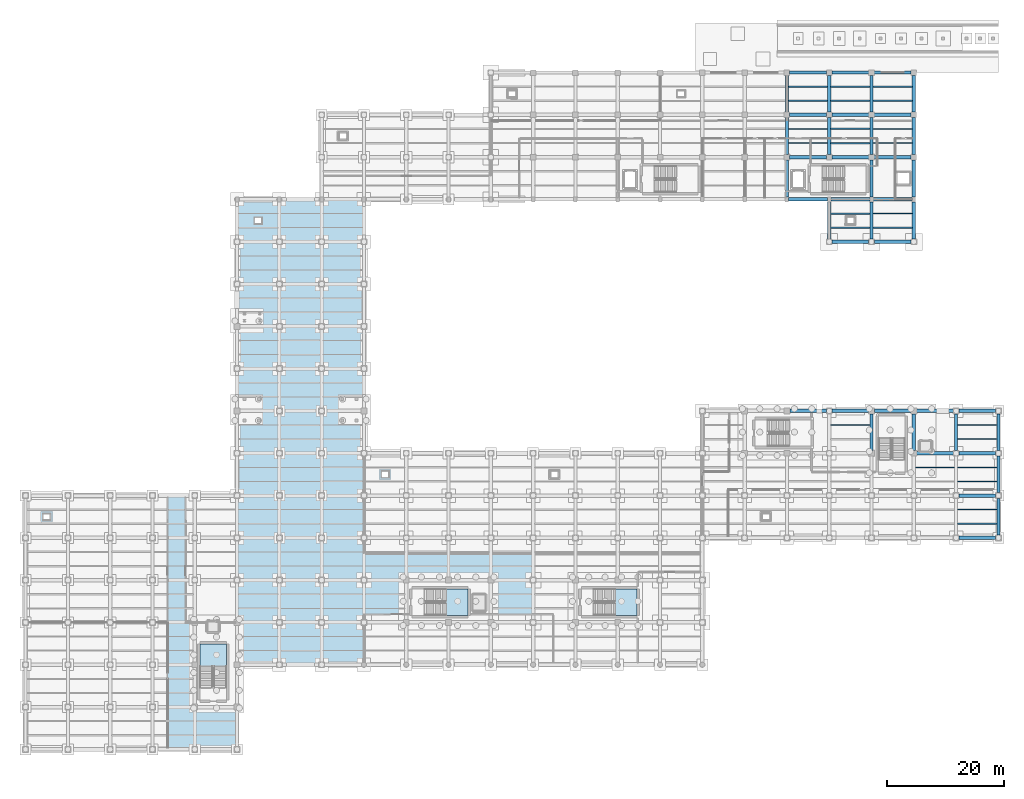
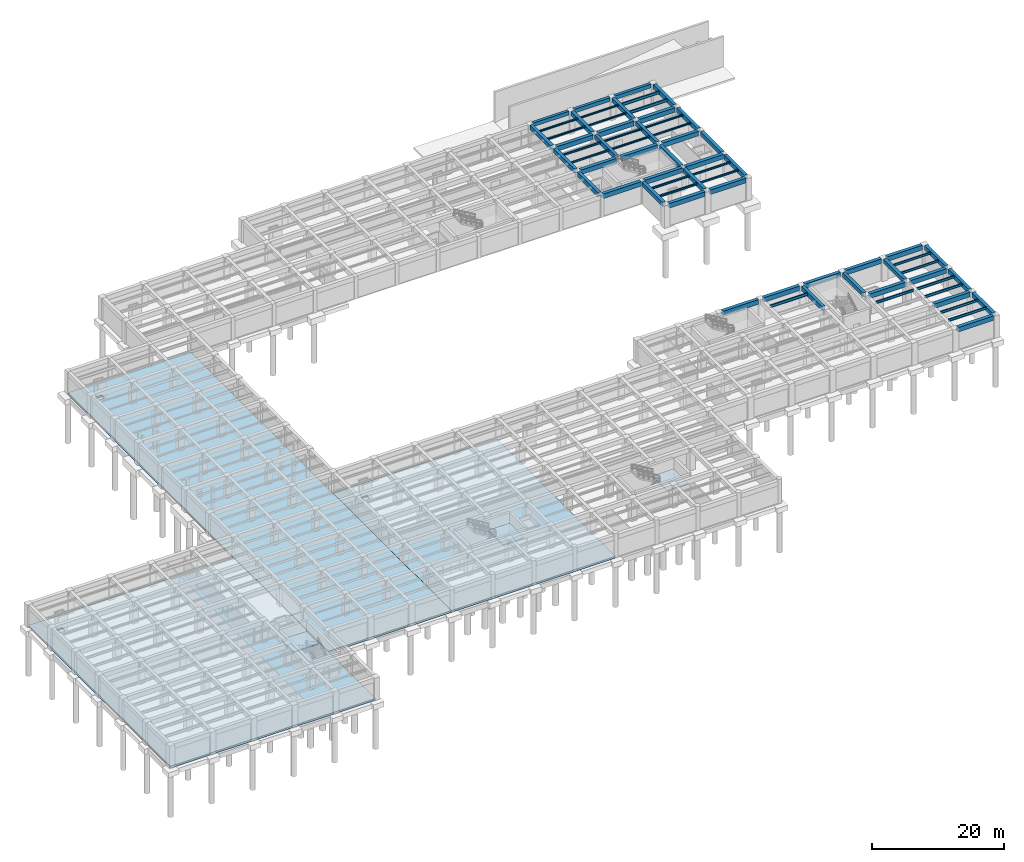
# One storey, part 14 of 34: 67 beams, 6 slabs, 3 elements without a shape of their own.
"""IFC4 building model written with IfcOpenShell, lengths in metres."""

from ifc_helpers import new_model, si_unit, direction, frame, origin, origin_2d, place, context, subcontext, project, spatial, polyline, rectangle, i_section, outline, extrude, material, layer, layer_set, material_profile, profile_set, type_object, element, aggregate, save


model = new_model("IFC4")

# Units and contexts
model_context = context("Model", 3, precision=1e-05, world=origin(), true_north=direction((0.0, 1.0)))
body_context = subcontext(model_context, "Body", "Model", "MODEL_VIEW")
ifc_project = project(units=[si_unit("LENGTHUNIT", "METRE"), si_unit("AREAUNIT", "SQUARE_METRE"), si_unit("VOLUMEUNIT", "CUBIC_METRE"), si_unit("PLANEANGLEUNIT", "RADIAN"), si_unit("MASSUNIT", "GRAM", prefix="KILO")], contexts=[model_context])

# Site, building, storey
site_placement = place(None, origin())
site = spatial("IfcSite", under=ifc_project, at=site_placement, CompositionType="ELEMENT")
building_placement = place(site_placement, origin())
building = spatial("IfcBuilding", under=site, at=building_placement, Name="Solenvale Faculty of Natural Sciences", CompositionType="ELEMENT")
storey_placement = place(building_placement, frame((0.0, 0.0, -4.5)))
storey = spatial("IfcBuildingStorey", under=building, at=storey_placement, Name="B01", CompositionType="ELEMENT", Elevation=-4.5)

# Beams
ifc_material_1 = material(Name="Concrete 40 MPa", Category="concrete")
ifc_material_profile_1 = material_profile(ifc_material_1, rectangle(XDim=0.550048828125, YDim=0.800048828125, at=origin_2d()), Name="RC-BM-550x800")
ifc_profile_set_1 = profile_set([ifc_material_profile_1], Name="Concrete 40 MPa")
beam_type_1 = type_object("IfcBeamType", Name="BM-RC-550x800", PredefinedType="BEAM", material=ifc_profile_set_1)
beam_1_placement = place(storey_placement, frame((129.60009765625, 94.030029296875, 3.75), z_axis=(0.0, 1.0, 0.0), x_axis=(-1.0, 0.0, 0.0)))
element("IfcBeam", 1, at=beam_1_placement, inside=storey, type_object=beam_type_1, Name="B01 Y-Girder X129.6 (93.6..100.8)", PredefinedType="BEAM", context=body_context, shape_type="SweptSolid", body=[
    extrude(rectangle(XDim=0.550048828125, YDim=0.800048828125, at=origin_2d()), origin(), (0.0, 0.0, 1.0), 6.31494140625),
])
for number, where, z_axis, x_axis, name in (
    (2, (129.60009765625, 101.2548828125, 3.75), (0.0, 1.0, 0.0), (-1.0, 0.0, 0.0), "B01 Y-Girder X129.6 (100.8..108.0)"),
    (3, (129.60009765625, 108.455078125, 3.75), (0.0, 1.0, 0.0), (-1.0, 0.0, 0.0), "B01 Y-Girder X129.6 (108.0..115.2)"),
    (4, (136.800048828125, 86.8798828125, 3.75), (0.0, 1.0, 0.0), (-1.0, 0.0, 0.0), "B01 Y-Girder X136.8 (86.4..93.6)"),
    (5, (136.800048828125, 101.2548828125, 3.75), (0.0, 1.0, 0.0), (-1.0, 0.0, 0.0), "B01 Y-Girder X136.8 (100.8..108.0)"),
    (6, (136.800048828125, 108.455078125, 3.75), (0.0, 1.0, 0.0), (-1.0, 0.0, 0.0), "B01 Y-Girder X136.8 (108.0..115.2)"),
):
    element("IfcBeam", number, at=place(storey_placement, frame(where, z_axis=z_axis, x_axis=x_axis)), inside=storey, type_object=beam_type_1, Name=name, PredefinedType="BEAM", context=body_context, shape_type="SweptSolid", body=[
        extrude(rectangle(XDim=0.550048828125, YDim=0.800048828125, at=origin_2d()), origin(), (0.0, 0.0, 1.0), 6.2900390625),
    ])
beam_2_placement = place(storey_placement, frame((144.0, 50.8798828125, 3.75), z_axis=(0.0, 1.0, 0.0), x_axis=(-1.0, 0.0, 0.0)))
element("IfcBeam", 7, at=beam_2_placement, inside=storey, type_object=beam_type_1, Name="B01 Y-Girder X144.0 (50.4..57.6)", PredefinedType="BEAM", context=body_context, shape_type="SweptSolid", body=[
    extrude(rectangle(XDim=0.550048828125, YDim=0.800048828125, at=origin_2d()), origin(), (0.0, 0.0, 1.0), 6.240234375),
])
beam_3_placement = place(storey_placement, frame((144.0, 86.8798828125, 3.75), z_axis=(0.0, 1.0, 0.0), x_axis=(-1.0, 0.0, 0.0)))
element("IfcBeam", 8, at=beam_3_placement, inside=storey, type_object=beam_type_1, Name="B01 Y-Girder X144.0 (86.4..93.6)", PredefinedType="BEAM", context=body_context, shape_type="SweptSolid", body=[
    extrude(rectangle(XDim=0.550048828125, YDim=0.800048828125, at=origin_2d()), origin(), (0.0, 0.0, 1.0), 6.2900390625),
])
beam_4_placement = place(storey_placement, frame((144.0, 94.030029296875, 3.75), z_axis=(0.0, 1.0, 0.0), x_axis=(-1.0, 0.0, 0.0)))
element("IfcBeam", 9, at=beam_4_placement, inside=storey, type_object=beam_type_1, Name="B01 Y-Girder X144.0 (93.6..100.8)", PredefinedType="BEAM", context=body_context, shape_type="SweptSolid", body=[
    extrude(rectangle(XDim=0.550048828125, YDim=0.800048828125, at=origin_2d()), origin(), (0.0, 0.0, 1.0), 6.31494140625),
])
for number, where, z_axis, x_axis, name in (
    (10, (144.0, 101.2548828125, 3.75), (0.0, 1.0, 0.0), (-1.0, 0.0, 0.0), "B01 Y-Girder X144.0 (100.8..108.0)"),
    (11, (144.0, 108.455078125, 3.75), (0.0, 1.0, 0.0), (-1.0, 0.0, 0.0), "B01 Y-Girder X144.0 (108.0..115.2)"),
):
    element("IfcBeam", number, at=place(storey_placement, frame(where, z_axis=z_axis, x_axis=x_axis)), inside=storey, type_object=beam_type_1, Name=name, PredefinedType="BEAM", context=body_context, shape_type="SweptSolid", body=[
        extrude(rectangle(XDim=0.550048828125, YDim=0.800048828125, at=origin_2d()), origin(), (0.0, 0.0, 1.0), 6.2900390625),
    ])
beam_5_placement = place(storey_placement, frame((151.199951171875, 50.8798828125, 3.75), z_axis=(0.0, 1.0, 0.0), x_axis=(-1.0, 0.0, 0.0)))
element("IfcBeam", 12, at=beam_5_placement, inside=storey, type_object=beam_type_1, Name="B01 Y-Girder X151.2 (50.4..57.6)", PredefinedType="BEAM", context=body_context, shape_type="SweptSolid", body=[
    extrude(rectangle(XDim=0.550048828125, YDim=0.800048828125, at=origin_2d()), origin(), (0.0, 0.0, 1.0), 6.240234375),
])
beam_6_placement = place(storey_placement, frame((151.199951171875, 86.8798828125, 3.75), z_axis=(0.0, 1.0, 0.0), x_axis=(-1.0, 0.0, 0.0)))
element("IfcBeam", 13, at=beam_6_placement, inside=storey, type_object=beam_type_1, Name="B01 Y-Girder X151.2 (86.4..93.6)", PredefinedType="BEAM", context=body_context, shape_type="SweptSolid", body=[
    extrude(rectangle(XDim=0.550048828125, YDim=0.800048828125, at=origin_2d()), origin(), (0.0, 0.0, 1.0), 6.2900390625),
])
beam_7_placement = place(storey_placement, frame((151.199951171875, 94.030029296875, 3.75), z_axis=(0.0, 1.0, 0.0), x_axis=(-1.0, 0.0, 0.0)))
element("IfcBeam", 14, at=beam_7_placement, inside=storey, type_object=beam_type_1, Name="B01 Y-Girder X151.2 (93.6..100.8)", PredefinedType="BEAM", context=body_context, shape_type="SweptSolid", body=[
    extrude(rectangle(XDim=0.550048828125, YDim=0.800048828125, at=origin_2d()), origin(), (0.0, 0.0, 1.0), 6.31494140625),
])
for number, where, z_axis, x_axis, name in (
    (15, (151.199951171875, 101.2548828125, 3.75), (0.0, 1.0, 0.0), (-1.0, 0.0, 0.0), "B01 Y-Girder X151.2 (100.8..108.0)"),
    (16, (151.199951171875, 108.455078125, 3.75), (0.0, 1.0, 0.0), (-1.0, 0.0, 0.0), "B01 Y-Girder X151.2 (108.0..115.2)"),
):
    element("IfcBeam", number, at=place(storey_placement, frame(where, z_axis=z_axis, x_axis=x_axis)), inside=storey, type_object=beam_type_1, Name=name, PredefinedType="BEAM", context=body_context, shape_type="SweptSolid", body=[
        extrude(rectangle(XDim=0.550048828125, YDim=0.800048828125, at=origin_2d()), origin(), (0.0, 0.0, 1.0), 6.2900390625),
    ])
beam_8_placement = place(storey_placement, frame((158.39990234375, 50.8798828125, 3.75), z_axis=(0.0, 1.0, 0.0), x_axis=(-1.0, 0.0, 0.0)))
element("IfcBeam", 17, at=beam_8_placement, inside=storey, type_object=beam_type_1, Name="B01 Y-Girder X158.4 (50.4..57.6)", PredefinedType="BEAM", context=body_context, shape_type="SweptSolid", body=[
    extrude(rectangle(XDim=0.550048828125, YDim=0.800048828125, at=origin_2d()), origin(), (0.0, 0.0, 1.0), 6.240234375),
])
for number, where, z_axis, x_axis, name in (
    (18, (165.60009765625, 36.47998046875, 3.75), (0.0, 1.0, 0.0), (-1.0, 0.0, 0.0), "B01 Y-Girder X165.6 (36.0..43.2)"),
    (19, (165.60009765625, 43.679931640625, 3.75), (0.0, 1.0, 0.0), (-1.0, 0.0, 0.0), "B01 Y-Girder X165.6 (43.2..50.4)"),
):
    element("IfcBeam", number, at=place(storey_placement, frame(where, z_axis=z_axis, x_axis=x_axis)), inside=storey, type_object=beam_type_1, Name=name, PredefinedType="BEAM", context=body_context, shape_type="SweptSolid", body=[
        extrude(rectangle(XDim=0.550048828125, YDim=0.800048828125, at=origin_2d()), origin(), (0.0, 0.0, 1.0), 6.239990234375),
    ])
beam_9_placement = place(storey_placement, frame((165.60009765625, 50.8798828125, 3.75), z_axis=(0.0, 1.0, 0.0), x_axis=(-1.0, 0.0, 0.0)))
element("IfcBeam", 20, at=beam_9_placement, inside=storey, type_object=beam_type_1, Name="B01 Y-Girder X165.6 (50.4..57.6)", PredefinedType="BEAM", context=body_context, shape_type="SweptSolid", body=[
    extrude(rectangle(XDim=0.550048828125, YDim=0.800048828125, at=origin_2d()), origin(), (0.0, 0.0, 1.0), 6.240234375),
])
ifc_material_profile_2 = material_profile(ifc_material_1, rectangle(XDim=0.60009765625, YDim=0.85009765625, at=origin_2d()), Name="RC-BM-600x850")
ifc_profile_set_2 = profile_set([ifc_material_profile_2], Name="Concrete 40 MPa")
beam_type_2 = type_object("IfcBeamType", Name="BM-RC-600x850", PredefinedType="BEAM", material=ifc_profile_set_2)
for number, where, z_axis, x_axis, name in (
    (21, (158.8798828125, 36.0, 3.72509765625), (1.0, 0.0, 0.0), (0.0, 1.0, 0.0), "B01 X-Girder Y36.0 (158.4..165.6)"),
    (22, (158.8798828125, 43.199951171875, 3.72509765625), (1.0, 0.0, 0.0), (0.0, 1.0, 0.0), "B01 X-Girder Y43.2 (158.4..165.6)"),
):
    element("IfcBeam", number, at=place(storey_placement, frame(where, z_axis=z_axis, x_axis=x_axis)), inside=storey, type_object=beam_type_2, Name=name, PredefinedType="BEAM", context=body_context, shape_type="SweptSolid", body=[
        extrude(rectangle(XDim=0.60009765625, YDim=0.85009765625, at=origin_2d()), origin(), (0.0, 0.0, 1.0), 6.240234375),
    ])
beam_10_placement = place(storey_placement, frame((151.679931640625, 50.39990234375, 3.72509765625), z_axis=(1.0, 0.0, 0.0), x_axis=(0.0, 1.0, 0.0)))
element("IfcBeam", 23, at=beam_10_placement, inside=storey, type_object=beam_type_2, Name="B01 X-Girder Y50.4 (151.2..158.4)", PredefinedType="BEAM", context=body_context, shape_type="SweptSolid", body=[
    extrude(rectangle(XDim=0.60009765625, YDim=0.85009765625, at=origin_2d()), origin(), (0.0, 0.0, 1.0), 6.239990234375),
])
beam_11_placement = place(storey_placement, frame((158.8798828125, 50.39990234375, 3.72509765625), z_axis=(1.0, 0.0, 0.0), x_axis=(0.0, 1.0, 0.0)))
element("IfcBeam", 24, at=beam_11_placement, inside=storey, type_object=beam_type_2, Name="B01 X-Girder Y50.4 (158.4..165.6)", PredefinedType="BEAM", context=body_context, shape_type="SweptSolid", body=[
    extrude(rectangle(XDim=0.60009765625, YDim=0.85009765625, at=origin_2d()), origin(), (0.0, 0.0, 1.0), 6.240234375),
])
for number, where, z_axis, x_axis, name in (
    (25, (130.080078125, 57.60009765625, 3.72509765625), (1.0, 0.0, 0.0), (0.0, 1.0, 0.0), "B01 X-Girder Y57.6 (129.6..136.8)"),
    (26, (137.280029296875, 57.60009765625, 3.72509765625), (1.0, 0.0, 0.0), (0.0, 1.0, 0.0), "B01 X-Girder Y57.6 (136.8..144.0)"),
    (27, (144.47998046875, 57.60009765625, 3.72509765625), (1.0, 0.0, 0.0), (0.0, 1.0, 0.0), "B01 X-Girder Y57.6 (144.0..151.2)"),
    (28, (151.679931640625, 57.60009765625, 3.72509765625), (1.0, 0.0, 0.0), (0.0, 1.0, 0.0), "B01 X-Girder Y57.6 (151.2..158.4)"),
):
    element("IfcBeam", number, at=place(storey_placement, frame(where, z_axis=z_axis, x_axis=x_axis)), inside=storey, type_object=beam_type_2, Name=name, PredefinedType="BEAM", context=body_context, shape_type="SweptSolid", body=[
        extrude(rectangle(XDim=0.60009765625, YDim=0.85009765625, at=origin_2d()), origin(), (0.0, 0.0, 1.0), 6.239990234375),
    ])
beam_12_placement = place(storey_placement, frame((158.8798828125, 57.60009765625, 3.72509765625), z_axis=(1.0, 0.0, 0.0), x_axis=(0.0, 1.0, 0.0)))
element("IfcBeam", 29, at=beam_12_placement, inside=storey, type_object=beam_type_2, Name="B01 X-Girder Y57.6 (158.4..165.6)", PredefinedType="BEAM", context=body_context, shape_type="SweptSolid", body=[
    extrude(rectangle(XDim=0.60009765625, YDim=0.85009765625, at=origin_2d()), origin(), (0.0, 0.0, 1.0), 6.240234375),
])
for number, where, z_axis, x_axis, name in (
    (30, (137.280029296875, 86.39990234375, 3.72509765625), (1.0, 0.0, 0.0), (0.0, 1.0, 0.0), "B01 X-Girder Y86.4 (136.8..144.0)"),
    (31, (144.47998046875, 86.39990234375, 3.72509765625), (1.0, 0.0, 0.0), (0.0, 1.0, 0.0), "B01 X-Girder Y86.4 (144.0..151.2)"),
):
    element("IfcBeam", number, at=place(storey_placement, frame(where, z_axis=z_axis, x_axis=x_axis)), inside=storey, type_object=beam_type_2, Name=name, PredefinedType="BEAM", context=body_context, shape_type="SweptSolid", body=[
        extrude(rectangle(XDim=0.60009765625, YDim=0.85009765625, at=origin_2d()), origin(), (0.0, 0.0, 1.0), 6.239990234375),
    ])
beam_13_placement = place(storey_placement, frame((129.8798828125, 93.60009765625, 3.72509765625), z_axis=(1.0, 0.0, 0.0), x_axis=(0.0, 1.0, 0.0)))
element("IfcBeam", 32, at=beam_13_placement, inside=storey, type_object=beam_type_2, Name="B01 X-Girder Y93.6 (129.6..136.8)", PredefinedType="BEAM", context=body_context, shape_type="SweptSolid", body=[
    extrude(rectangle(XDim=0.60009765625, YDim=0.85009765625, at=origin_2d()), origin(), (0.0, 0.0, 1.0), 6.64013671875),
])
for number, where, z_axis, x_axis, name in (
    (33, (137.080078125, 93.60009765625, 3.72509765625), (1.0, 0.0, 0.0), (0.0, 1.0, 0.0), "B01 X-Girder Y93.6 (136.8..144.0)"),
    (34, (144.280029296875, 93.60009765625, 3.72509765625), (1.0, 0.0, 0.0), (0.0, 1.0, 0.0), "B01 X-Girder Y93.6 (144.0..151.2)"),
):
    element("IfcBeam", number, at=place(storey_placement, frame(where, z_axis=z_axis, x_axis=x_axis)), inside=storey, type_object=beam_type_2, Name=name, PredefinedType="BEAM", context=body_context, shape_type="SweptSolid", body=[
        extrude(rectangle(XDim=0.60009765625, YDim=0.85009765625, at=origin_2d()), origin(), (0.0, 0.0, 1.0), 6.639892578125),
    ])
for number, where, z_axis, x_axis, name in (
    (35, (130.054931640625, 100.800048828125, 3.72509765625), (1.0, 0.0, 0.0), (0.0, 1.0, 0.0), "B01 X-Girder Y100.8 (129.6..136.8)"),
    (36, (137.2548828125, 100.800048828125, 3.72509765625), (1.0, 0.0, 0.0), (0.0, 1.0, 0.0), "B01 X-Girder Y100.8 (136.8..144.0)"),
    (37, (144.455078125, 100.800048828125, 3.72509765625), (1.0, 0.0, 0.0), (0.0, 1.0, 0.0), "B01 X-Girder Y100.8 (144.0..151.2)"),
    (38, (130.054931640625, 108.0, 3.72509765625), (1.0, 0.0, 0.0), (0.0, 1.0, 0.0), "B01 X-Girder Y108.0 (129.6..136.8)"),
    (39, (137.2548828125, 108.0, 3.72509765625), (1.0, 0.0, 0.0), (0.0, 1.0, 0.0), "B01 X-Girder Y108.0 (136.8..144.0)"),
    (40, (144.455078125, 108.0, 3.72509765625), (1.0, 0.0, 0.0), (0.0, 1.0, 0.0), "B01 X-Girder Y108.0 (144.0..151.2)"),
):
    element("IfcBeam", number, at=place(storey_placement, frame(where, z_axis=z_axis, x_axis=x_axis)), inside=storey, type_object=beam_type_2, Name=name, PredefinedType="BEAM", context=body_context, shape_type="SweptSolid", body=[
        extrude(rectangle(XDim=0.60009765625, YDim=0.85009765625, at=origin_2d()), origin(), (0.0, 0.0, 1.0), 6.2900390625),
    ])
ifc_material_2 = material(Name="Precast concrete 40 MPa", Category="concrete")
ifc_material_profile_3 = material_profile(ifc_material_2, rectangle(XDim=0.5, YDim=0.699951171875, at=origin_2d()), Name="RC-BM-500x700")
ifc_profile_set_3 = profile_set([ifc_material_profile_3], Name="Precast concrete 40 MPa")
beam_type_3 = type_object("IfcBeamType", Name="BM-SPN-PRC-700", PredefinedType="SPANDREL", material=ifc_profile_set_3)
for number, where, z_axis, x_axis, name in (
    (41, (130.054931640625, 115.199951171875, 3.800048828125), (1.0, 0.0, 0.0), (0.0, 1.0, 0.0), "B01 X-Girder Y115.2 (129.6..136.8)"),
    (42, (137.2548828125, 115.199951171875, 3.800048828125), (1.0, 0.0, 0.0), (0.0, 1.0, 0.0), "B01 X-Girder Y115.2 (136.8..144.0)"),
    (43, (144.455078125, 115.199951171875, 3.800048828125), (1.0, 0.0, 0.0), (0.0, 1.0, 0.0), "B01 X-Girder Y115.2 (144.0..151.2)"),
):
    element("IfcBeam", number, at=place(storey_placement, frame(where, z_axis=z_axis, x_axis=x_axis)), inside=storey, type_object=beam_type_3, Name=name, PredefinedType="SPANDREL", context=body_context, shape_type="SweptSolid", body=[
        extrude(rectangle(XDim=0.5, YDim=0.699951171875, at=origin_2d()), origin(), (0.0, 0.0, 1.0), 6.2900390625),
    ])
ifc_material_3 = material(Name="Steel S355", Category="steel")
ifc_material_profile_4 = material_profile(ifc_material_3, i_section(OverallWidth=0.202880859375, OverallDepth=0.302978515625, WebThickness=0.007568359375, FlangeThickness=0.01318359375, FilletRadius=0.014892578125, at=origin_2d()), Name="W310x60")
ifc_profile_set_4 = profile_set([ifc_material_profile_4], Name="Steel S355")
beam_type_4 = type_object("IfcBeamType", Name="BM-STL-W310x60", PredefinedType="JOIST", material=ifc_profile_set_4)
for number, where, z_axis, x_axis, name in (
    (44, (137.054931640625, 110.39990234375, 3.99853515625), (1.0, 0.0, 0.0), (0.0, 1.0, 0.0), "B01 Composite Floor Joist (20,16).1"),
    (45, (137.054931640625, 112.800048828125, 3.99853515625), (1.0, 0.0, 0.0), (0.0, 1.0, 0.0), "B01 Composite Floor Joist (20,16).2"),
    (46, (144.2548828125, 103.199951171875, 3.99853515625), (1.0, 0.0, 0.0), (0.0, 1.0, 0.0), "B01 Composite Floor Joist (21,15).1"),
    (47, (144.2548828125, 105.60009765625, 3.99853515625), (1.0, 0.0, 0.0), (0.0, 1.0, 0.0), "B01 Composite Floor Joist (21,15).2"),
):
    element("IfcBeam", number, at=place(storey_placement, frame(where, z_axis=z_axis, x_axis=x_axis)), inside=storey, type_object=beam_type_4, Name=name, PredefinedType="JOIST", context=body_context, shape_type="SweptSolid", body=[
        extrude(i_section(OverallWidth=0.202880859375, OverallDepth=0.302978515625, WebThickness=0.007568359375, FlangeThickness=0.01318359375, FilletRadius=0.014892578125, at=origin_2d()), origin(), (0.0, 0.0, 1.0), 6.690185546875),
    ])
ifc_material_profile_5 = material_profile(ifc_material_3, i_section(OverallWidth=0.25390625, OverallDepth=0.305908203125, WebThickness=0.0087890625, FlangeThickness=0.0146484375, FilletRadius=0.014892578125, at=origin_2d()), Name="W310x79")
ifc_profile_set_5 = profile_set([ifc_material_profile_5], Name="Steel S355")
beam_type_5 = type_object("IfcBeamType", Name="BM-STL-W310x79", PredefinedType="JOIST", material=ifc_profile_set_5)
for number, where, z_axis, x_axis, name in (
    (48, (129.85498046875, 110.39990234375, 3.9970703125), (1.0, 0.0, 0.0), (0.0, 1.0, 0.0), "B01 Composite Floor Joist (19,16).1"),
    (49, (129.85498046875, 112.800048828125, 3.9970703125), (1.0, 0.0, 0.0), (0.0, 1.0, 0.0), "B01 Composite Floor Joist (19,16).2"),
):
    element("IfcBeam", number, at=place(storey_placement, frame(where, z_axis=z_axis, x_axis=x_axis)), inside=storey, type_object=beam_type_5, Name=name, PredefinedType="JOIST", context=body_context, shape_type="SweptSolid", body=[
        extrude(i_section(OverallWidth=0.25390625, OverallDepth=0.305908203125, WebThickness=0.0087890625, FlangeThickness=0.0146484375, FilletRadius=0.014892578125, at=origin_2d()), origin(), (0.0, 0.0, 1.0), 6.68994140625),
    ])
for number, where, z_axis, x_axis, name in (
    (50, (137.054931640625, 103.199951171875, 3.9970703125), (1.0, 0.0, 0.0), (0.0, 1.0, 0.0), "B01 Composite Floor Joist (20,15).1"),
    (51, (137.054931640625, 105.60009765625, 3.9970703125), (1.0, 0.0, 0.0), (0.0, 1.0, 0.0), "B01 Composite Floor Joist (20,15).2"),
):
    element("IfcBeam", number, at=place(storey_placement, frame(where, z_axis=z_axis, x_axis=x_axis)), inside=storey, type_object=beam_type_5, Name=name, PredefinedType="JOIST", context=body_context, shape_type="SweptSolid", body=[
        extrude(i_section(OverallWidth=0.25390625, OverallDepth=0.305908203125, WebThickness=0.0087890625, FlangeThickness=0.0146484375, FilletRadius=0.014892578125, at=origin_2d()), origin(), (0.0, 0.0, 1.0), 6.690185546875),
    ])
ifc_material_profile_6 = material_profile(ifc_material_3, i_section(OverallWidth=0.2548828125, OverallDepth=0.35693359375, WebThickness=0.010498046875, FlangeThickness=0.018310546875, FilletRadius=0.014892578125, at=origin_2d()), Name="W360x101")
ifc_profile_set_6 = profile_set([ifc_material_profile_6], Name="Steel S355")
beam_type_6 = type_object("IfcBeamType", Name="BM-STL-W360x101", PredefinedType="JOIST", material=ifc_profile_set_6)
for number, where, z_axis, x_axis, name in (
    (52, (137.054931640625, 88.800048828125, 3.971435546875), (1.0, 0.0, 0.0), (0.0, 1.0, 0.0), "B01 Composite Floor Joist (20,13).1"),
    (53, (137.054931640625, 91.199951171875, 3.971435546875), (1.0, 0.0, 0.0), (0.0, 1.0, 0.0), "B01 Composite Floor Joist (20,13).2"),
):
    element("IfcBeam", number, at=place(storey_placement, frame(where, z_axis=z_axis, x_axis=x_axis)), inside=storey, type_object=beam_type_6, Name=name, PredefinedType="JOIST", context=body_context, shape_type="SweptSolid", body=[
        extrude(i_section(OverallWidth=0.2548828125, OverallDepth=0.35693359375, WebThickness=0.010498046875, FlangeThickness=0.018310546875, FilletRadius=0.014892578125, at=origin_2d()), origin(), (0.0, 0.0, 1.0), 6.690185546875),
    ])
ifc_material_profile_7 = material_profile(ifc_material_3, i_section(OverallWidth=0.2041015625, OverallDepth=0.35009765625, WebThickness=0.008544921875, FlangeThickness=0.01513671875, FilletRadius=0.014892578125, at=origin_2d()), Name="W360x72")
ifc_profile_set_7 = profile_set([ifc_material_profile_7], Name="Steel S355")
beam_type_7 = type_object("IfcBeamType", Name="BM-STL-W360x72", PredefinedType="JOIST", material=ifc_profile_set_7)
for number, where, z_axis, x_axis, name in (
    (54, (129.85498046875, 103.199951171875, 3.97509765625), (1.0, 0.0, 0.0), (0.0, 1.0, 0.0), "B01 Composite Floor Joist (19,15).1"),
    (55, (129.85498046875, 105.60009765625, 3.97509765625), (1.0, 0.0, 0.0), (0.0, 1.0, 0.0), "B01 Composite Floor Joist (19,15).2"),
):
    element("IfcBeam", number, at=place(storey_placement, frame(where, z_axis=z_axis, x_axis=x_axis)), inside=storey, type_object=beam_type_7, Name=name, PredefinedType="JOIST", context=body_context, shape_type="SweptSolid", body=[
        extrude(i_section(OverallWidth=0.2041015625, OverallDepth=0.35009765625, WebThickness=0.008544921875, FlangeThickness=0.01513671875, FilletRadius=0.014892578125, at=origin_2d()), origin(), (0.0, 0.0, 1.0), 6.68994140625),
    ])
for number, where, z_axis, x_axis, name in (
    (56, (144.2548828125, 88.800048828125, 3.97509765625), (1.0, 0.0, 0.0), (0.0, 1.0, 0.0), "B01 Composite Floor Joist (21,13).1"),
    (57, (144.2548828125, 91.199951171875, 3.97509765625), (1.0, 0.0, 0.0), (0.0, 1.0, 0.0), "B01 Composite Floor Joist (21,13).2"),
):
    element("IfcBeam", number, at=place(storey_placement, frame(where, z_axis=z_axis, x_axis=x_axis)), inside=storey, type_object=beam_type_7, Name=name, PredefinedType="JOIST", context=body_context, shape_type="SweptSolid", body=[
        extrude(i_section(OverallWidth=0.2041015625, OverallDepth=0.35009765625, WebThickness=0.008544921875, FlangeThickness=0.01513671875, FilletRadius=0.014892578125, at=origin_2d()), origin(), (0.0, 0.0, 1.0), 6.690185546875),
    ])
ifc_material_profile_8 = material_profile(ifc_material_3, i_section(OverallWidth=0.180908203125, OverallDepth=0.4169921875, WebThickness=0.010986328125, FlangeThickness=0.018310546875, FilletRadius=0.01611328125, at=origin_2d()), Name="W410x85")
ifc_profile_set_8 = profile_set([ifc_material_profile_8], Name="Steel S355")
beam_type_8 = type_object("IfcBeamType", Name="BM-STL-W410x85", PredefinedType="JOIST", material=ifc_profile_set_8)
for number, where, z_axis, x_axis, name in (
    (58, (158.655029296875, 52.800048828125, 3.94140625), (1.0, 0.0, 0.0), (0.0, 1.0, 0.0), "B01 Composite Floor Joist (23,8).1"),
    (59, (158.655029296875, 55.199951171875, 3.94140625), (1.0, 0.0, 0.0), (0.0, 1.0, 0.0), "B01 Composite Floor Joist (23,8).2"),
):
    element("IfcBeam", number, at=place(storey_placement, frame(where, z_axis=z_axis, x_axis=x_axis)), inside=storey, type_object=beam_type_8, Name=name, PredefinedType="JOIST", context=body_context, shape_type="SweptSolid", body=[
        extrude(i_section(OverallWidth=0.180908203125, OverallDepth=0.4169921875, WebThickness=0.010986328125, FlangeThickness=0.018310546875, FilletRadius=0.01611328125, at=origin_2d()), origin(), (0.0, 0.0, 1.0), 6.68994140625),
    ])
ifc_material_profile_9 = material_profile(ifc_material_3, i_section(OverallWidth=0.194091796875, OverallDepth=0.468994140625, WebThickness=0.0126953125, FlangeThickness=0.0205078125, FilletRadius=0.01806640625, at=origin_2d()), Name="W460x106")
ifc_profile_set_9 = profile_set([ifc_material_profile_9], Name="Steel S355")
beam_type_9 = type_object("IfcBeamType", Name="BM-STL-W460x106", PredefinedType="JOIST", material=ifc_profile_set_9)
for number, where, z_axis, x_axis, name in (
    (60, (151.455078125, 48.0, 3.91552734375), (1.0, 0.0, 0.0), (0.0, 1.0, 0.0), "B01 Composite Floor Joist (22,7).2"),
    (61, (158.655029296875, 38.39990234375, 3.91552734375), (1.0, 0.0, 0.0), (0.0, 1.0, 0.0), "B01 Composite Floor Joist (23,6).1"),
    (62, (158.655029296875, 40.800048828125, 3.91552734375), (1.0, 0.0, 0.0), (0.0, 1.0, 0.0), "B01 Composite Floor Joist (23,6).2"),
):
    element("IfcBeam", number, at=place(storey_placement, frame(where, z_axis=z_axis, x_axis=x_axis)), inside=storey, type_object=beam_type_9, Name=name, PredefinedType="JOIST", context=body_context, shape_type="SweptSolid", body=[
        extrude(i_section(OverallWidth=0.194091796875, OverallDepth=0.468994140625, WebThickness=0.0126953125, FlangeThickness=0.0205078125, FilletRadius=0.01806640625, at=origin_2d()), origin(), (0.0, 0.0, 1.0), 6.68994140625),
    ])
ifc_material_profile_10 = material_profile(ifc_material_3, i_section(OverallWidth=0.19091796875, OverallDepth=0.4599609375, WebThickness=0.010009765625, FlangeThickness=0.01611328125, FilletRadius=0.01806640625, at=origin_2d()), Name="W460x82")
ifc_profile_set_10 = profile_set([ifc_material_profile_10], Name="Steel S355")
beam_type_10 = type_object("IfcBeamType", Name="BM-STL-W460x82", PredefinedType="JOIST", material=ifc_profile_set_10)
for number, where, z_axis, x_axis, name in (
    (63, (158.655029296875, 45.60009765625, 3.919921875), (1.0, 0.0, 0.0), (0.0, 1.0, 0.0), "B01 Composite Floor Joist (23,7).1"),
    (64, (158.655029296875, 48.0, 3.919921875), (1.0, 0.0, 0.0), (0.0, 1.0, 0.0), "B01 Composite Floor Joist (23,7).2"),
):
    element("IfcBeam", number, at=place(storey_placement, frame(where, z_axis=z_axis, x_axis=x_axis)), inside=storey, type_object=beam_type_10, Name=name, PredefinedType="JOIST", context=body_context, shape_type="SweptSolid", body=[
        extrude(i_section(OverallWidth=0.19091796875, OverallDepth=0.4599609375, WebThickness=0.010009765625, FlangeThickness=0.01611328125, FilletRadius=0.01806640625, at=origin_2d()), origin(), (0.0, 0.0, 1.0), 6.68994140625),
    ])
ifc_material_profile_11 = material_profile(ifc_material_3, i_section(OverallWidth=0.208984375, OverallDepth=0.532958984375, WebThickness=0.01025390625, FlangeThickness=0.015625, FilletRadius=0.01904296875, at=origin_2d()), Name="W530x92")
ifc_profile_set_11 = profile_set([ifc_material_profile_11], Name="Steel S355")
beam_type_11 = type_object("IfcBeamType", Name="BM-STL-W530x92", PredefinedType="JOIST", material=ifc_profile_set_11)
for number, where, z_axis, x_axis, name in (
    (65, (137.054931640625, 55.199951171875, 3.883544921875), (1.0, 0.0, 0.0), (0.0, 1.0, 0.0), "B01 Composite Floor Joist (20,8).2"),
    (66, (144.2548828125, 110.39990234375, 3.883544921875), (1.0, 0.0, 0.0), (0.0, 1.0, 0.0), "B01 Composite Floor Joist (21,16).1"),
    (67, (144.2548828125, 112.800048828125, 3.883544921875), (1.0, 0.0, 0.0), (0.0, 1.0, 0.0), "B01 Composite Floor Joist (21,16).2"),
):
    element("IfcBeam", number, at=place(storey_placement, frame(where, z_axis=z_axis, x_axis=x_axis)), inside=storey, type_object=beam_type_11, Name=name, PredefinedType="JOIST", context=body_context, shape_type="SweptSolid", body=[
        extrude(i_section(OverallWidth=0.208984375, OverallDepth=0.532958984375, WebThickness=0.01025390625, FlangeThickness=0.015625, FilletRadius=0.01904296875, at=origin_2d()), origin(), (0.0, 0.0, 1.0), 6.690185546875),
    ])

# Slabs
ifc_layer_1 = layer(ifc_material_1, 0.35009765625)
ifc_layer_set_1 = layer_set([ifc_layer_1], Name="Concrete 40 MPa")
slab_type_1 = type_object("IfcSlabType", Name="SL-BASE-350", PredefinedType="BASESLAB", material=ifc_layer_set_1)
slab_1_placement = place(storey_placement, frame((0.0, 0.0, -0.35009765625)))
element("IfcSlab", 68, at=slab_1_placement, inside=storey, type_object=slab_type_1, Name="B01 V1 Baseslab Slab 1.1", PredefinedType="BASESLAB", context=body_context, shape_type="SweptSolid", body=[
    extrude(outline(polyline([(35.97509765625, 43.199951171875), (35.99267578125, 43.192626953125), (36.0, 43.175048828125), (36.0, 0.02490234375), (35.994384765625, 0.009033203125), (35.97509765625, 0.0), (0.02490234375, 0.0), (0.009033203125, 0.005615234375), (0.0, 0.02490234375), (0.0, 43.175048828125), (0.005615234375, 43.19091796875), (0.02490234375, 43.199951171875), (35.97509765625, 43.199951171875)]), holes=[polyline([(3.050048828125, 39.14990234375), (4.14990234375, 39.14990234375), (4.14990234375, 40.050048828125), (3.050048828125, 40.050048828125), (3.050048828125, 39.14990234375)])]), origin(), (0.0, 0.0, 1.0), 0.35009765625),
])
slab_2_placement = place(storey_placement, frame((0.0, 0.0, -0.35009765625)))
element("IfcSlab", 69, at=slab_2_placement, inside=storey, type_object=slab_type_1, Name="B01 V3 Baseslab Slab 1.1", PredefinedType="BASESLAB", context=body_context, shape_type="SweptSolid", body=[
    extrude(outline(polyline([(57.60009765625, 14.425048828125), (57.5927734375, 14.4072265625), (57.574951171875, 14.39990234375), (36.02490234375, 14.39990234375), (36.001220703125, 14.417724609375), (36.0, 93.574951171875), (36.017578125, 93.598876953125), (57.574951171875, 93.60009765625), (57.598876953125, 93.582275390625), (57.60009765625, 14.425048828125)]), holes=[polyline([(39.050048828125, 89.550048828125), (40.14990234375, 89.550048828125), (40.14990234375, 90.449951171875), (39.050048828125, 90.449951171875), (39.050048828125, 89.550048828125)])]), origin(), (0.0, 0.0, 1.0), 0.35009765625),
])
slab_3_placement = place(storey_placement, frame((0.0, 0.0, -0.35009765625)))
element("IfcSlab", 70, at=slab_3_placement, inside=storey, type_object=slab_type_1, Name="B01 V4 Baseslab Slab 1.1", PredefinedType="BASESLAB", context=body_context, shape_type="SweptSolid", body=[
    extrude(outline(polyline([(57.625, 14.39990234375), (57.607421875, 14.4072265625), (57.60009765625, 14.425048828125), (57.60009765625, 50.375), (57.605712890625, 50.390869140625), (57.625, 50.39990234375), (86.375, 50.39990234375), (86.390869140625, 50.394287109375), (86.39990234375, 50.375), (86.39990234375, 14.425048828125), (86.394287109375, 14.4091796875), (86.375, 14.39990234375), (57.625, 14.39990234375)]), holes=[polyline([(60.64990234375, 46.35009765625), (61.75, 46.35009765625), (61.75, 47.25), (60.64990234375, 47.25), (60.64990234375, 46.35009765625)])]), origin(), (0.0, 0.0, 1.0), 0.35009765625),
])

# Stair, slab
stair_type = type_object("IfcStairType", Name="STR-CORE-25R", PredefinedType="DOUBLE_RETURN_STAIR", material=ifc_material_1)
stair_1_placement = place(storey_placement, origin())
stair_1 = element("IfcStair", 71, at=stair_1_placement, inside=storey, type_object=stair_type, Name="B01 Protected Exit Stair ST-01", PredefinedType="DOUBLE_RETURN_STAIR")
ifc_layer_2 = layer(ifc_material_1, 0.195068359375)
ifc_layer_set_2 = layer_set([ifc_layer_2], Name="Concrete 40 MPa")
slab_type_2 = type_object("IfcSlabType", Name="SL-LND-195", PredefinedType="LANDING", material=ifc_layer_set_2)
slab_4_placement = place(storey_placement, frame((0.0, 0.0, 2.050048828125)))
slab_4 = element("IfcSlab", 72, at=slab_4_placement, type_object=slab_type_2, Name="ST-01 landing 1", PredefinedType="LANDING", context=body_context, shape_type="SweptSolid", body=[
    extrude(outline(polyline([(34.199951171875, 14.139892578125), (34.199951171875, 17.89990234375), (29.699951171875, 17.89990234375), (29.699951171875, 14.139892578125), (34.199951171875, 14.139892578125)])), origin(), (0.0, 0.0, 1.0), 0.199951171875),
])
aggregate(stair_1, [slab_4])

stair_2_placement = place(storey_placement, origin())
stair_2 = element("IfcStair", 73, at=stair_2_placement, inside=storey, type_object=stair_type, Name="B01 Protected Exit Stair ST-03", PredefinedType="DOUBLE_RETURN_STAIR")
slab_5_placement = place(storey_placement, frame((0.0, 0.0, 2.050048828125)))
slab_5 = element("IfcSlab", 74, at=slab_5_placement, type_object=slab_type_2, Name="ST-03 landing 1", PredefinedType="LANDING", context=body_context, shape_type="SweptSolid", body=[
    extrude(outline(polyline([(71.5400390625, 22.800048828125), (75.300048828125, 22.800048828125), (75.300048828125, 27.300048828125), (71.5400390625, 27.300048828125), (71.5400390625, 22.800048828125)])), origin(), (0.0, 0.0, 1.0), 0.199951171875),
])
aggregate(stair_2, [slab_5])

stair_3_placement = place(storey_placement, origin())
stair_3 = element("IfcStair", 75, at=stair_3_placement, inside=storey, type_object=stair_type, Name="B01 Protected Exit Stair ST-07", PredefinedType="DOUBLE_RETURN_STAIR")
slab_6_placement = place(storey_placement, frame((0.0, 0.0, 2.050048828125)))
slab_6 = element("IfcSlab", 76, at=slab_6_placement, type_object=slab_type_2, Name="ST-07 landing 1", PredefinedType="LANDING", context=body_context, shape_type="SweptSolid", body=[
    extrude(outline(polyline([(100.340087890625, 22.800048828125), (104.10009765625, 22.800048828125), (104.10009765625, 27.300048828125), (100.340087890625, 27.300048828125), (100.340087890625, 22.800048828125)])), origin(), (0.0, 0.0, 1.0), 0.199951171875),
])
aggregate(stair_3, [slab_6])

save(model, "model.ifc")
